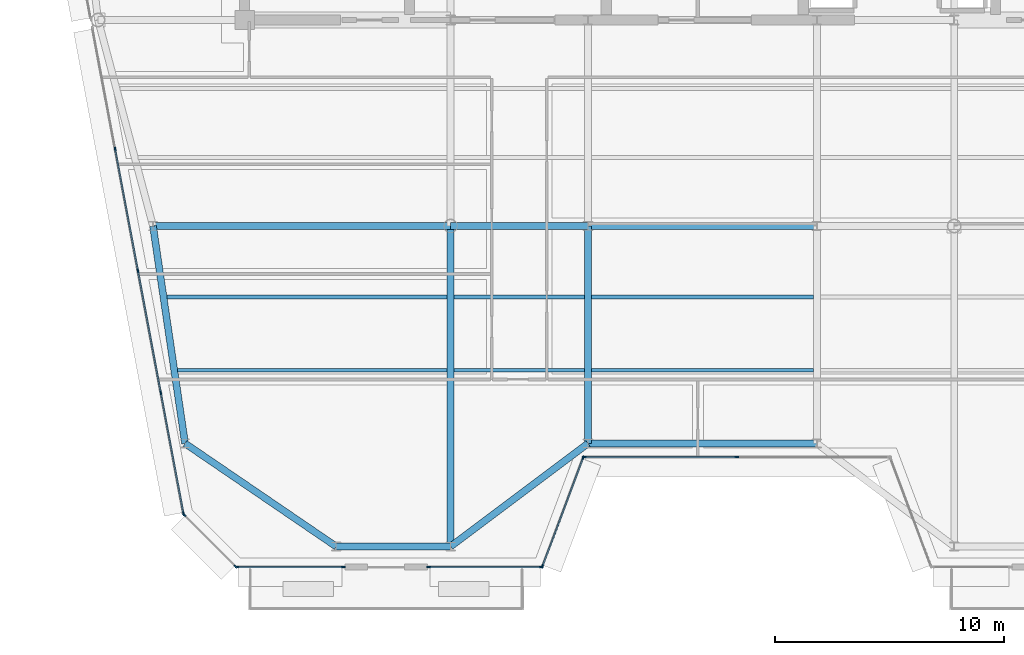
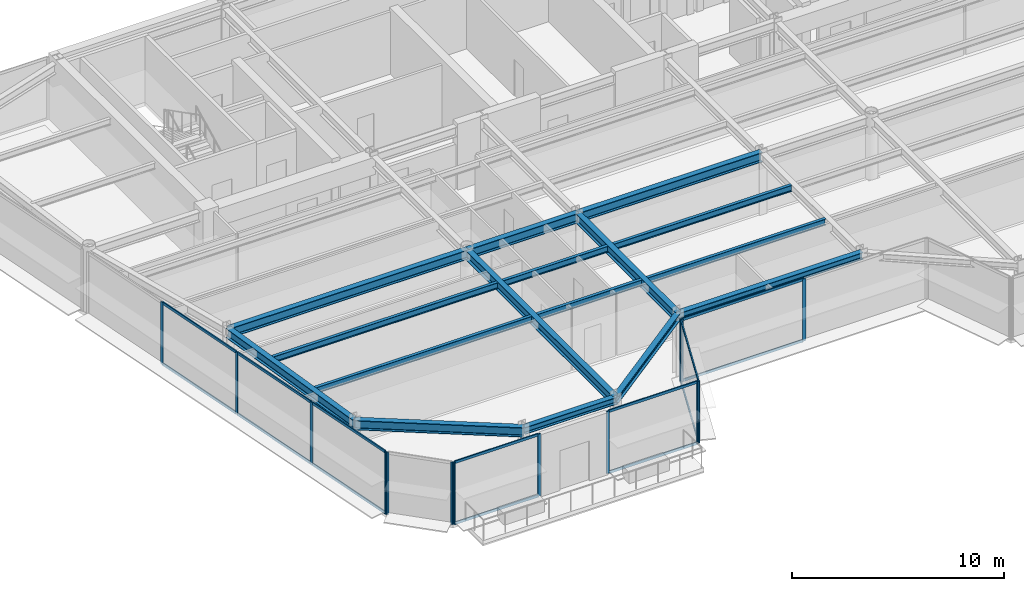
# One storey, part 3 of 20: 28 members, 16 beams, 6 elements without a shape of their own.
"""IFC4 building model written with IfcOpenShell, lengths in metres."""

from ifc_helpers import new_model, si_unit, direction, frame, origin, origin_2d, place, context, subcontext, project, spatial, rectangle, i_section, extrude, source, transform, mapped, material, layer, layer_set, material_profile, profile_set, type_object, element, aggregate, save


model = new_model("IFC4")

# Units and contexts
model_context = context("Model", 3, precision=1e-05, world=origin(), true_north=direction((0.0, 1.0)))
body_context = subcontext(model_context, "Body", "Model", "MODEL_VIEW")
ifc_project = project(units=[si_unit("LENGTHUNIT", "METRE"), si_unit("AREAUNIT", "SQUARE_METRE"), si_unit("VOLUMEUNIT", "CUBIC_METRE"), si_unit("PLANEANGLEUNIT", "RADIAN"), si_unit("MASSUNIT", "GRAM", prefix="KILO")], contexts=[model_context])

# Site, building, storey
site_placement = place(None, origin())
site = spatial("IfcSite", under=ifc_project, at=site_placement, CompositionType="ELEMENT")
building_placement = place(site_placement, origin())
building = spatial("IfcBuilding", under=site, at=building_placement, Name="Vaeldorn Concourse Tower", CompositionType="ELEMENT")
storey_placement = place(building_placement, frame((0.0, 0.0, 268.800048828125)))
storey = spatial("IfcBuildingStorey", under=building, at=storey_placement, Name="L69", CompositionType="ELEMENT", Elevation=268.800048828125)

# Beams
ifc_material_1 = material(Name="Steel S355", Category="steel")
ifc_material_profile_1 = material_profile(ifc_material_1, i_section(OverallWidth=0.300048828125, OverallDepth=0.39990234375, WebThickness=0.013427734375, FlangeThickness=0.02392578125, FilletRadius=0.027099609375, at=origin_2d()), Name="HEB 400")
ifc_profile_set_1 = profile_set([ifc_material_profile_1], Name="Steel S355")
beam_type_1 = type_object("IfcBeamType", Name="BM-SP-HEB400", PredefinedType="SPANDREL", material=ifc_profile_set_1)
shared_shape_1 = source(origin(), body_context, "Body", "SweptSolid", [
    extrude(i_section(OverallWidth=0.300048828125, OverallDepth=0.39990234375, WebThickness=0.013427734375, FlangeThickness=0.02392578125, FilletRadius=0.027099609375, at=origin_2d()), origin(), (0.0, 0.0, 1.0), 5.0),
])
beam_1_placement = place(storey_placement, frame((18.0, 13.5, 3.3798828125), z_axis=(1.0, 0.0, 0.0), x_axis=(0.0, 1.0, 0.0)))
element("IfcBeam", 1, at=beam_1_placement, inside=storey, type_object=beam_type_1, Name="Beam BM-L69-C-SF1-C-SF2", PredefinedType="SPANDREL", context=body_context, shape_type="MappedRepresentation", body=[
    mapped(shared_shape_1, transform((0.0, 0.0, 0.0), scale=1.0)),
])
shared_shape_2 = source(origin(), body_context, "Body", "SweptSolid", [
    extrude(i_section(OverallWidth=0.300048828125, OverallDepth=0.39990234375, WebThickness=0.013427734375, FlangeThickness=0.02392578125, FilletRadius=0.027099609375, at=origin_2d()), origin(), (0.0, 0.0, 1.0), 7.5),
])
beam_2_placement = place(storey_placement, frame((23.0, 13.5, 3.3798828125), z_axis=(0.8, 0.6, 0.0), x_axis=(-0.6, 0.8, 0.0)))
element("IfcBeam", 2, at=beam_2_placement, inside=storey, type_object=beam_type_1, Name="Beam BM-L69-C-SF2-C-SF3", PredefinedType="SPANDREL", context=body_context, shape_type="MappedRepresentation", body=[
    mapped(shared_shape_2, transform((0.0, 0.0, 0.0), scale=1.0)),
])
shared_shape_3 = source(origin(), body_context, "Body", "SweptSolid", [
    extrude(i_section(OverallWidth=0.300048828125, OverallDepth=0.39990234375, WebThickness=0.013427734375, FlangeThickness=0.02392578125, FilletRadius=0.027099609375, at=origin_2d()), origin(), (0.0, 0.0, 1.0), 10.0),
])
beam_3_placement = place(storey_placement, frame((29.0, 18.0, 3.3798828125), z_axis=(1.0, 0.0, 0.0), x_axis=(0.0, 1.0, 0.0)))
element("IfcBeam", 3, at=beam_3_placement, inside=storey, type_object=beam_type_1, Name="Beam BM-L69-C-SF3-C-SF4", PredefinedType="SPANDREL", context=body_context, shape_type="MappedRepresentation", body=[
    mapped(shared_shape_3, transform((0.0, 0.0, 0.0), scale=1.0)),
])
ifc_material_profile_2 = material_profile(ifc_material_1, i_section(OverallWidth=0.300048828125, OverallDepth=0.550048828125, WebThickness=0.014892578125, FlangeThickness=0.029052734375, FilletRadius=0.027099609375, at=origin_2d()), Name="HEB 550")
ifc_profile_set_2 = profile_set([ifc_material_profile_2], Name="Steel S355")
beam_type_2 = type_object("IfcBeamType", Name="BM-PG-HEB550", PredefinedType="BEAM", material=ifc_profile_set_2)
shared_shape_4 = source(origin(), body_context, "Body", "SweptSolid", [
    extrude(i_section(OverallWidth=0.300048828125, OverallDepth=0.550048828125, WebThickness=0.014892578125, FlangeThickness=0.029052734375, FilletRadius=0.027099609375, at=origin_2d()), origin(), (0.0, 0.0, 1.0), 6.0),
])
beam_4_placement = place(storey_placement, frame((23.0, 27.5, 3.304931640625), z_axis=(1.0, 0.0, 0.0), x_axis=(0.0, 1.0, 0.0)))
element("IfcBeam", 4, at=beam_4_placement, inside=storey, type_object=beam_type_2, Name="Beam BM-L69-C-TW1-C-TW2", PredefinedType="BEAM", context=body_context, shape_type="MappedRepresentation", body=[
    mapped(shared_shape_4, transform((0.0, 0.0, 0.0), scale=1.0)),
])
shared_shape_5 = source(origin(), body_context, "Body", "SweptSolid", [
    extrude(i_section(OverallWidth=0.300048828125, OverallDepth=0.550048828125, WebThickness=0.014892578125, FlangeThickness=0.029052734375, FilletRadius=0.027099609375, at=origin_2d()), origin(), (0.0, 0.0, 1.0), 10.0),
])
beam_5_placement = place(storey_placement, frame((29.0, 27.5, 3.304931640625), z_axis=(1.0, 0.0, 0.0), x_axis=(0.0, 1.0, 0.0)))
element("IfcBeam", 5, at=beam_5_placement, inside=storey, type_object=beam_type_2, Name="Beam BM-L69-C-TW2-C-TW3", PredefinedType="BEAM", context=body_context, shape_type="MappedRepresentation", body=[
    mapped(shared_shape_5, transform((0.0, 0.0, 0.0), scale=1.0)),
])
shared_shape_6 = source(origin(), body_context, "Body", "SweptSolid", [
    extrude(i_section(OverallWidth=0.300048828125, OverallDepth=0.550048828125, WebThickness=0.014892578125, FlangeThickness=0.029052734375, FilletRadius=0.027099609375, at=origin_2d()), origin(), (0.0, 0.0, 1.0), 14.0),
])
beam_6_placement = place(storey_placement, frame((23.0, 13.5, 3.304931640625), z_axis=(0.0, 1.0, 0.0), x_axis=(-1.0, 0.0, 0.0)))
element("IfcBeam", 6, at=beam_6_placement, inside=storey, type_object=beam_type_2, Name="Beam BM-L69-C-SF2-C-TW1", PredefinedType="BEAM", context=body_context, shape_type="MappedRepresentation", body=[
    mapped(shared_shape_6, transform((0.0, 0.0, 0.0), scale=1.0)),
])
shared_shape_7 = source(origin(), body_context, "Body", "SweptSolid", [
    extrude(i_section(OverallWidth=0.300048828125, OverallDepth=0.550048828125, WebThickness=0.014892578125, FlangeThickness=0.029052734375, FilletRadius=0.027099609375, at=origin_2d()), origin(), (0.0, 0.0, 1.0), 13.0),
])
beam_7_placement = place(storey_placement, frame((10.0, 27.5, 3.304931640625), z_axis=(1.0, 0.0, 0.0), x_axis=(0.0, 1.0, 0.0)))
element("IfcBeam", 7, at=beam_7_placement, inside=storey, type_object=beam_type_2, Name="Beam BM-L69-C-FLW1-C-TW1", PredefinedType="BEAM", context=body_context, shape_type="MappedRepresentation", body=[
    mapped(shared_shape_7, transform((0.0, 0.0, 0.0), scale=1.0)),
])
shared_shape_8 = source(origin(), body_context, "Body", "SweptSolid", [
    extrude(i_section(OverallWidth=0.300048828125, OverallDepth=0.550048828125, WebThickness=0.014892578125, FlangeThickness=0.029052734375, FilletRadius=0.027099609375, at=origin_2d()), origin(), (0.0, 0.0, 1.0), 9.6025390625),
])
beam_8_placement = place(storey_placement, frame((10.0, 27.5, 3.304931640625), z_axis=(0.145783835977, -0.989316467652, 0.0), x_axis=(0.989316467652, 0.145783835977, 0.0)))
element("IfcBeam", 8, at=beam_8_placement, inside=storey, type_object=beam_type_2, Name="Beam BM-L69-C-FLW1-C-FLW2", PredefinedType="BEAM", context=body_context, shape_type="MappedRepresentation", body=[
    mapped(shared_shape_8, transform((0.0, 0.0, 0.0), scale=1.0)),
])
shared_shape_9 = source(origin(), body_context, "Body", "SweptSolid", [
    extrude(i_section(OverallWidth=0.300048828125, OverallDepth=0.550048828125, WebThickness=0.014892578125, FlangeThickness=0.029052734375, FilletRadius=0.027099609375, at=origin_2d()), origin(), (0.0, 0.0, 1.0), 9.5),
])
beam_9_placement = place(storey_placement, frame((29.0, 18.0, 3.304931640625), z_axis=(0.0, 1.0, 0.0), x_axis=(-1.0, 0.0, 0.0)))
element("IfcBeam", 9, at=beam_9_placement, inside=storey, type_object=beam_type_2, Name="Beam BM-L69-C-SF3-C-TW2", PredefinedType="BEAM", context=body_context, shape_type="MappedRepresentation", body=[
    mapped(shared_shape_9, transform((0.0, 0.0, 0.0), scale=1.0)),
])
shared_shape_10 = source(origin(), body_context, "Body", "SweptSolid", [
    extrude(i_section(OverallWidth=0.300048828125, OverallDepth=0.550048828125, WebThickness=0.014892578125, FlangeThickness=0.029052734375, FilletRadius=0.027099609375, at=origin_2d()), origin(), (0.0, 0.0, 1.0), 7.98828125),
])
beam_10_placement = place(storey_placement, frame((18.0, 13.5, 3.304931640625), z_axis=(-0.826231222393, 0.56333113454, 0.0), x_axis=(-0.56333113454, -0.826231222393, 0.0)))
element("IfcBeam", 10, at=beam_10_placement, inside=storey, type_object=beam_type_2, Name="Beam BM-L69-C-SF1-C-FLW2", PredefinedType="BEAM", context=body_context, shape_type="MappedRepresentation", body=[
    mapped(shared_shape_10, transform((0.0, 0.0, 0.0), scale=1.0)),
])
ifc_material_profile_3 = material_profile(ifc_material_1, i_section(OverallWidth=0.169921875, OverallDepth=0.360107421875, WebThickness=0.008056640625, FlangeThickness=0.0126953125, FilletRadius=0.01806640625, at=origin_2d()), Name="IPE 360")
ifc_profile_set_3 = profile_set([ifc_material_profile_3], Name="Steel S355")
beam_type_3 = type_object("IfcBeamType", Name="BM-JS-IPE360", PredefinedType="JOIST", material=ifc_profile_set_3)
shared_shape_11 = source(origin(), body_context, "Body", "SweptSolid", [
    extrude(i_section(OverallWidth=0.169921875, OverallDepth=0.360107421875, WebThickness=0.008056640625, FlangeThickness=0.0126953125, FilletRadius=0.01806640625, at=origin_2d()), origin(), (0.0, 0.0, 1.0), 11.771728515625),
])
beam_11_placement = place(storey_placement, frame((11.078369140625, 21.199951171875, 3.39990234375), z_axis=(1.0, 0.0, 0.0), x_axis=(0.0, 1.0, 0.0)))
element("IfcBeam", 11, at=beam_11_placement, inside=storey, type_object=beam_type_3, Name="Beam JS-L69-W1-212", PredefinedType="JOIST", context=body_context, shape_type="MappedRepresentation", body=[
    mapped(shared_shape_11, transform((0.0, 0.0, 0.0), scale=1.0)),
])
shared_shape_12 = source(origin(), body_context, "Body", "SweptSolid", [
    extrude(i_section(OverallWidth=0.169921875, OverallDepth=0.360107421875, WebThickness=0.008056640625, FlangeThickness=0.0126953125, FilletRadius=0.01806640625, at=origin_2d()), origin(), (0.0, 0.0, 1.0), 5.7001953125),
])
for number, where, z_axis, x_axis, name in (
    (12, (23.14990234375, 21.199951171875, 3.39990234375), (1.0, 0.0, 0.0), (0.0, 1.0, 0.0), "Beam JS-L69-W2-212"),
    (13, (23.14990234375, 24.39990234375, 3.39990234375), (1.0, 0.0, 0.0), (0.0, 1.0, 0.0), "Beam JS-L69-W2-244"),
):
    element("IfcBeam", number, at=place(storey_placement, frame(where, z_axis=z_axis, x_axis=x_axis)), inside=storey, type_object=beam_type_3, Name=name, PredefinedType="JOIST", context=body_context, shape_type="MappedRepresentation", body=[
        mapped(shared_shape_12, transform((0.0, 0.0, 0.0), scale=1.0)),
    ])
shared_shape_13 = source(origin(), body_context, "Body", "SweptSolid", [
    extrude(i_section(OverallWidth=0.169921875, OverallDepth=0.360107421875, WebThickness=0.008056640625, FlangeThickness=0.0126953125, FilletRadius=0.01806640625, at=origin_2d()), origin(), (0.0, 0.0, 1.0), 9.7001953125),
])
for number, where, z_axis, x_axis, name in (
    (14, (29.14990234375, 21.199951171875, 3.39990234375), (1.0, 0.0, 0.0), (0.0, 1.0, 0.0), "Beam JS-L69-C-212"),
    (15, (29.14990234375, 24.39990234375, 3.39990234375), (1.0, 0.0, 0.0), (0.0, 1.0, 0.0), "Beam JS-L69-C-244"),
):
    element("IfcBeam", number, at=place(storey_placement, frame(where, z_axis=z_axis, x_axis=x_axis)), inside=storey, type_object=beam_type_3, Name=name, PredefinedType="JOIST", context=body_context, shape_type="MappedRepresentation", body=[
        mapped(shared_shape_13, transform((0.0, 0.0, 0.0), scale=1.0)),
    ])
shared_shape_14 = source(origin(), body_context, "Body", "SweptSolid", [
    extrude(i_section(OverallWidth=0.169921875, OverallDepth=0.360107421875, WebThickness=0.008056640625, FlangeThickness=0.0126953125, FilletRadius=0.01806640625, at=origin_2d()), origin(), (0.0, 0.0, 1.0), 12.243408203125),
])
beam_12_placement = place(storey_placement, frame((10.606689453125, 24.39990234375, 3.39990234375), z_axis=(1.0, 0.0, 0.0), x_axis=(0.0, 1.0, 0.0)))
element("IfcBeam", 16, at=beam_12_placement, inside=storey, type_object=beam_type_3, Name="Beam JS-L69-W1-244", PredefinedType="JOIST", context=body_context, shape_type="MappedRepresentation", body=[
    mapped(shared_shape_14, transform((0.0, 0.0, 0.0), scale=1.0)),
])

# Curtain wall, members
ifc_material_2 = material(Name="Anodised Bronze Aluminium", Category="aluminium")
ifc_layer = layer(ifc_material_2, 0.2099609375)
ifc_layer_set = layer_set([ifc_layer], Name="Anodised Bronze Aluminium")
curtain_wall_type = type_object("IfcCurtainWallType", Name="CW-SYS-06", PredefinedType="NOTDEFINED", material=ifc_layer_set)
curtain_wall_1_placement = place(storey_placement, origin())
curtain_wall_1 = element("IfcCurtainWall", 17, at=curtain_wall_1_placement, inside=storey, type_object=curtain_wall_type, Name="Unitised Curtain Wall CW-L69-E01-1", PredefinedType="NOTDEFINED")
ifc_material_profile_4 = material_profile(ifc_material_2, rectangle(XDim=0.06494140625, YDim=0.169921875, at=origin_2d()), Name="CWM 65x170")
ifc_profile_set_4 = profile_set([ifc_material_profile_4], Name="Anodised Bronze Aluminium")
member_type_1 = type_object("IfcMemberType", Name="CWM-BRONZE-170", PredefinedType="MULLION", material=ifc_profile_set_4)
shared_shape_15 = source(origin(), body_context, "Body", "SweptSolid", [
    extrude(rectangle(XDim=0.06494140625, YDim=0.169921875, at=origin_2d()), origin(), (0.0, 0.0, 1.0), 3.579833984375),
])
member_1_placement = place(storey_placement, frame((13.66845703125, 12.60009765625, 0.0), z_axis=(0.0, 0.0, 1.0), x_axis=(0.0, 1.0, 0.0)))
member_1 = element("IfcMember", 18, at=member_1_placement, type_object=member_type_1, Name="CW-06 mullion 1", PredefinedType="MULLION", context=body_context, shape_type="MappedRepresentation", body=[
    mapped(shared_shape_15, transform((0.0, 0.0, 0.0), scale=1.0)),
])
member_2_placement = place(storey_placement, frame((18.3076171875, 12.60009765625, 0.0), z_axis=(0.0, 0.0, 1.0), x_axis=(0.0, 1.0, 0.0)))
member_2 = element("IfcMember", 19, at=member_2_placement, type_object=member_type_1, Name="CW-06 mullion 2", PredefinedType="MULLION", context=body_context, shape_type="MappedRepresentation", body=[
    mapped(shared_shape_15, transform((0.0, 0.0, 0.0), scale=1.0)),
])

curtain_wall_2_placement = place(storey_placement, origin())
curtain_wall_2 = element("IfcCurtainWall", 20, at=curtain_wall_2_placement, inside=storey, type_object=curtain_wall_type, Name="Unitised Curtain Wall CW-L69-E01-2", PredefinedType="NOTDEFINED")
member_3_placement = place(storey_placement, frame((22.052490234375, 12.60009765625, 0.0), z_axis=(0.0, 0.0, 1.0), x_axis=(0.0, 1.0, 0.0)))
member_3 = element("IfcMember", 21, at=member_3_placement, type_object=member_type_1, Name="CW-06 mullion 1", PredefinedType="MULLION", context=body_context, shape_type="MappedRepresentation", body=[
    mapped(shared_shape_15, transform((0.0, 0.0, 0.0), scale=1.0)),
])
member_4_placement = place(storey_placement, frame((26.967529296875, 12.60009765625, 0.0), z_axis=(0.0, 0.0, 1.0), x_axis=(0.0, 1.0, 0.0)))
member_4 = element("IfcMember", 22, at=member_4_placement, type_object=member_type_1, Name="CW-06 mullion 2", PredefinedType="MULLION", context=body_context, shape_type="MappedRepresentation", body=[
    mapped(shared_shape_15, transform((0.0, 0.0, 0.0), scale=1.0)),
])

curtain_wall_3_placement = place(storey_placement, origin())
curtain_wall_3 = element("IfcCurtainWall", 23, at=curtain_wall_3_placement, inside=storey, type_object=curtain_wall_type, Name="Unitised Curtain Wall CW-L69-E02-1", PredefinedType="NOTDEFINED")
member_5_placement = place(storey_placement, frame((27.011474609375, 12.63037109375, 0.0), z_axis=(0.0, 0.0, 1.0), x_axis=(-0.936329177566, 0.351123441595, 0.0)))
member_5 = element("IfcMember", 24, at=member_5_placement, type_object=member_type_1, Name="CW-06 mullion 1", PredefinedType="MULLION", context=body_context, shape_type="MappedRepresentation", body=[
    mapped(shared_shape_15, transform((0.0, 0.0, 0.0), scale=1.0)),
])
member_6_placement = place(storey_placement, frame((28.78857421875, 17.36962890625, 0.0), z_axis=(0.0, 0.0, 1.0), x_axis=(-0.936329177566, 0.351123441595, 0.0)))
member_6 = element("IfcMember", 25, at=member_6_placement, type_object=member_type_1, Name="CW-06 mullion 2", PredefinedType="MULLION", context=body_context, shape_type="MappedRepresentation", body=[
    mapped(shared_shape_15, transform((0.0, 0.0, 0.0), scale=1.0)),
])

curtain_wall_4_placement = place(storey_placement, origin())
curtain_wall_4 = element("IfcCurtainWall", 26, at=curtain_wall_4_placement, inside=storey, type_object=curtain_wall_type, Name="Unitised Curtain Wall CW-L69-E03-1", PredefinedType="NOTDEFINED")
member_7_placement = place(storey_placement, frame((28.83251953125, 17.39990234375, 0.0), z_axis=(0.0, 0.0, 1.0), x_axis=(0.0, 1.0, 0.0)))
member_7 = element("IfcMember", 27, at=member_7_placement, type_object=member_type_1, Name="CW-06 mullion 1", PredefinedType="MULLION", context=body_context, shape_type="MappedRepresentation", body=[
    mapped(shared_shape_15, transform((0.0, 0.0, 0.0), scale=1.0)),
])
member_8_placement = place(storey_placement, frame((35.5, 17.39990234375, 0.0), z_axis=(0.0, 0.0, 1.0), x_axis=(0.0, 1.0, 0.0)))
member_8 = element("IfcMember", 28, at=member_8_placement, type_object=member_type_1, Name="CW-06 mullion 2", PredefinedType="MULLION", context=body_context, shape_type="MappedRepresentation", body=[
    mapped(shared_shape_15, transform((0.0, 0.0, 0.0), scale=1.0)),
])

curtain_wall_5_placement = place(storey_placement, origin())
curtain_wall_5 = element("IfcCurtainWall", 29, at=curtain_wall_5_placement, inside=storey, type_object=curtain_wall_type, Name="Unitised Curtain Wall CW-L69-E11-2", PredefinedType="NOTDEFINED")
member_9_placement = place(storey_placement, frame((8.343505859375, 30.86376953125, 0.0), z_axis=(0.0, 0.0, 1.0), x_axis=(0.982880027444, 0.184246714088, 0.0)))
member_9 = element("IfcMember", 30, at=member_9_placement, type_object=member_type_1, Name="CW-06 mullion 2", PredefinedType="MULLION", context=body_context, shape_type="MappedRepresentation", body=[
    mapped(shared_shape_15, transform((0.0, 0.0, 0.0), scale=1.0)),
])
member_10_placement = place(storey_placement, frame((9.341064453125, 25.54248046875, 0.0), z_axis=(0.0, 0.0, 1.0), x_axis=(0.982880027444, 0.184246714088, 0.0)))
member_10 = element("IfcMember", 31, at=member_10_placement, type_object=member_type_1, Name="CW-06 mullion 3", PredefinedType="MULLION", context=body_context, shape_type="MappedRepresentation", body=[
    mapped(shared_shape_15, transform((0.0, 0.0, 0.0), scale=1.0)),
])
member_11_placement = place(storey_placement, frame((10.33837890625, 20.22119140625, 0.0), z_axis=(0.0, 0.0, 1.0), x_axis=(0.982880027444, 0.184246714088, 0.0)))
member_11 = element("IfcMember", 32, at=member_11_placement, type_object=member_type_1, Name="CW-06 mullion 4", PredefinedType="MULLION", context=body_context, shape_type="MappedRepresentation", body=[
    mapped(shared_shape_15, transform((0.0, 0.0, 0.0), scale=1.0)),
])
member_12_placement = place(storey_placement, frame((11.330078125, 14.931884765625, 0.0), z_axis=(0.0, 0.0, 1.0), x_axis=(0.982880027444, 0.184246714088, 0.0)))
member_12 = element("IfcMember", 33, at=member_12_placement, type_object=member_type_1, Name="CW-06 mullion 5", PredefinedType="MULLION", context=body_context, shape_type="MappedRepresentation", body=[
    mapped(shared_shape_15, transform((0.0, 0.0, 0.0), scale=1.0)),
])

curtain_wall_6_placement = place(storey_placement, origin())
curtain_wall_6 = element("IfcCurtainWall", 34, at=curtain_wall_6_placement, inside=storey, type_object=curtain_wall_type, Name="Unitised Curtain Wall CW-L69-E12-1", PredefinedType="NOTDEFINED")
member_13_placement = place(storey_placement, frame((11.35888671875, 14.876953125, 0.0), z_axis=(0.0, 0.0, 1.0), x_axis=(0.707106781187, 0.707106781187, 0.0)))
member_13 = element("IfcMember", 35, at=member_13_placement, type_object=member_type_1, Name="CW-06 mullion 1", PredefinedType="MULLION", context=body_context, shape_type="MappedRepresentation", body=[
    mapped(shared_shape_15, transform((0.0, 0.0, 0.0), scale=1.0)),
])
member_14_placement = place(storey_placement, frame((13.613037109375, 12.623046875, 0.0), z_axis=(0.0, 0.0, 1.0), x_axis=(0.707106781187, 0.707106781187, 0.0)))
member_14 = element("IfcMember", 36, at=member_14_placement, type_object=member_type_1, Name="CW-06 mullion 2", PredefinedType="MULLION", context=body_context, shape_type="MappedRepresentation", body=[
    mapped(shared_shape_15, transform((0.0, 0.0, 0.0), scale=1.0)),
])
aggregate(curtain_wall_6, [member_13, member_14])

# Member
ifc_material_profile_5 = material_profile(ifc_material_2, rectangle(XDim=0.06494140625, YDim=0.14990234375, at=origin_2d()), Name="CWT 65x150")
ifc_profile_set_5 = profile_set([ifc_material_profile_5], Name="Anodised Bronze Aluminium")
member_type_2 = type_object("IfcMemberType", Name="CWT-BRONZE-150", PredefinedType="USERDEFINED", material=ifc_profile_set_5)
shared_shape_16 = source(origin(), body_context, "Body", "SweptSolid", [
    extrude(rectangle(XDim=0.06494140625, YDim=0.14990234375, at=origin_2d()), origin(), (0.0, 0.0, 1.0), 4.996337890625),
])
member_15_placement = place(storey_placement, frame((27.022705078125, 12.660888671875, 0.032470703125), z_axis=(0.351134151405, 0.936325161318, 0.0), x_axis=(-0.936325161318, 0.351134151405, 0.0)))
member_15 = element("IfcMember", 37, at=member_15_placement, type_object=member_type_2, Name="CW-06 transom 1.1", ObjectType="TRANSOM", PredefinedType="USERDEFINED", context=body_context, shape_type="MappedRepresentation", body=[
    mapped(shared_shape_16, transform((0.0, 0.0, 0.0), scale=1.0)),
])

member_16_placement = place(storey_placement, frame((27.022705078125, 12.660888671875, 3.54736328125), z_axis=(0.351134151405, 0.936325161318, 0.0), x_axis=(-0.936325161318, 0.351134151405, 0.0)))
member_16 = element("IfcMember", 38, at=member_16_placement, type_object=member_type_2, Name="CW-06 transom 1.2", ObjectType="TRANSOM", PredefinedType="USERDEFINED", context=body_context, shape_type="MappedRepresentation", body=[
    mapped(shared_shape_16, transform((0.0, 0.0, 0.0), scale=1.0)),
])

aggregate(curtain_wall_3, [member_5, member_6, member_15, member_16])

shared_shape_17 = source(origin(), body_context, "Body", "SweptSolid", [
    extrude(rectangle(XDim=0.06494140625, YDim=0.14990234375, at=origin_2d()), origin(), (0.0, 0.0, 1.0), 6.6025390625),
])
member_17_placement = place(storey_placement, frame((28.864990234375, 17.39990234375, 0.032470703125), z_axis=(1.0, 0.0, 0.0), x_axis=(0.0, 1.0, 0.0)))
member_17 = element("IfcMember", 39, at=member_17_placement, type_object=member_type_2, Name="CW-06 transom 1.1", ObjectType="TRANSOM", PredefinedType="USERDEFINED", context=body_context, shape_type="MappedRepresentation", body=[
    mapped(shared_shape_17, transform((0.0, 0.0, 0.0), scale=1.0)),
])

member_18_placement = place(storey_placement, frame((28.864990234375, 17.39990234375, 3.54736328125), z_axis=(1.0, 0.0, 0.0), x_axis=(0.0, 1.0, 0.0)))
member_18 = element("IfcMember", 40, at=member_18_placement, type_object=member_type_2, Name="CW-06 transom 1.2", ObjectType="TRANSOM", PredefinedType="USERDEFINED", context=body_context, shape_type="MappedRepresentation", body=[
    mapped(shared_shape_17, transform((0.0, 0.0, 0.0), scale=1.0)),
])

aggregate(curtain_wall_4, [member_7, member_8, member_17, member_18])

shared_shape_18 = source(origin(), body_context, "Body", "SweptSolid", [
    extrude(rectangle(XDim=0.06494140625, YDim=0.14990234375, at=origin_2d()), origin(), (0.0, 0.0, 1.0), 4.573974609375),
])
member_19_placement = place(storey_placement, frame((13.700927734375, 12.60009765625, 0.032470703125), z_axis=(1.0, 0.0, 0.0), x_axis=(0.0, 1.0, 0.0)))
member_19 = element("IfcMember", 41, at=member_19_placement, type_object=member_type_2, Name="CW-06 transom 1.1", ObjectType="TRANSOM", PredefinedType="USERDEFINED", context=body_context, shape_type="MappedRepresentation", body=[
    mapped(shared_shape_18, transform((0.0, 0.0, 0.0), scale=1.0)),
])

member_20_placement = place(storey_placement, frame((13.700927734375, 12.60009765625, 3.54736328125), z_axis=(1.0, 0.0, 0.0), x_axis=(0.0, 1.0, 0.0)))
member_20 = element("IfcMember", 42, at=member_20_placement, type_object=member_type_2, Name="CW-06 transom 1.2", ObjectType="TRANSOM", PredefinedType="USERDEFINED", context=body_context, shape_type="MappedRepresentation", body=[
    mapped(shared_shape_18, transform((0.0, 0.0, 0.0), scale=1.0)),
])

aggregate(curtain_wall_1, [member_1, member_2, member_19, member_20])

shared_shape_19 = source(origin(), body_context, "Body", "SweptSolid", [
    extrude(rectangle(XDim=0.06494140625, YDim=0.14990234375, at=origin_2d()), origin(), (0.0, 0.0, 1.0), 4.85009765625),
])
member_21_placement = place(storey_placement, frame((22.0849609375, 12.60009765625, 0.032470703125), z_axis=(1.0, 0.0, 0.0), x_axis=(0.0, 1.0, 0.0)))
member_21 = element("IfcMember", 43, at=member_21_placement, type_object=member_type_2, Name="CW-06 transom 1.1", ObjectType="TRANSOM", PredefinedType="USERDEFINED", context=body_context, shape_type="MappedRepresentation", body=[
    mapped(shared_shape_19, transform((0.0, 0.0, 0.0), scale=1.0)),
])

member_22_placement = place(storey_placement, frame((22.0849609375, 12.60009765625, 3.54736328125), z_axis=(1.0, 0.0, 0.0), x_axis=(0.0, 1.0, 0.0)))
member_22 = element("IfcMember", 44, at=member_22_placement, type_object=member_type_2, Name="CW-06 transom 1.2", ObjectType="TRANSOM", PredefinedType="USERDEFINED", context=body_context, shape_type="MappedRepresentation", body=[
    mapped(shared_shape_19, transform((0.0, 0.0, 0.0), scale=1.0)),
])

aggregate(curtain_wall_2, [member_3, member_4, member_21, member_22])

shared_shape_20 = source(origin(), body_context, "Body", "SweptSolid", [
    extrude(rectangle(XDim=0.06494140625, YDim=0.14990234375, at=origin_2d()), origin(), (0.0, 0.0, 1.0), 5.31640625),
])
member_23_placement = place(storey_placement, frame((10.344482421875, 20.189208984375, 0.032470703125), z_axis=(0.184241399207, -0.982881023735, 0.0), x_axis=(0.982881023735, 0.184241399207, 0.0)))
member_23 = element("IfcMember", 45, at=member_23_placement, type_object=member_type_2, Name="CW-06 transom 4.1", ObjectType="TRANSOM", PredefinedType="USERDEFINED", context=body_context, shape_type="MappedRepresentation", body=[
    mapped(shared_shape_20, transform((0.0, 0.0, 0.0), scale=1.0)),
])

member_24_placement = place(storey_placement, frame((10.344482421875, 20.189208984375, 3.54736328125), z_axis=(0.184241399207, -0.982881023735, 0.0), x_axis=(0.982881023735, 0.184241399207, 0.0)))
member_24 = element("IfcMember", 46, at=member_24_placement, type_object=member_type_2, Name="CW-06 transom 4.2", ObjectType="TRANSOM", PredefinedType="USERDEFINED", context=body_context, shape_type="MappedRepresentation", body=[
    mapped(shared_shape_20, transform((0.0, 0.0, 0.0), scale=1.0)),
])

shared_shape_21 = source(origin(), body_context, "Body", "SweptSolid", [
    extrude(rectangle(XDim=0.06494140625, YDim=0.14990234375, at=origin_2d()), origin(), (0.0, 0.0, 1.0), 5.348876953125),
])
member_25_placement = place(storey_placement, frame((8.349609375, 30.831787109375, 0.032470703125), z_axis=(0.184216882988, -0.982885618993, 0.0), x_axis=(0.982885618993, 0.184216882988, 0.0)))
member_25 = element("IfcMember", 47, at=member_25_placement, type_object=member_type_2, Name="CW-06 transom 2.1", ObjectType="TRANSOM", PredefinedType="USERDEFINED", context=body_context, shape_type="MappedRepresentation", body=[
    mapped(shared_shape_21, transform((0.0, 0.0, 0.0), scale=1.0)),
])

member_26_placement = place(storey_placement, frame((8.349609375, 30.831787109375, 3.54736328125), z_axis=(0.184216882988, -0.982885618993, 0.0), x_axis=(0.982885618993, 0.184216882988, 0.0)))
member_26 = element("IfcMember", 48, at=member_26_placement, type_object=member_type_2, Name="CW-06 transom 2.2", ObjectType="TRANSOM", PredefinedType="USERDEFINED", context=body_context, shape_type="MappedRepresentation", body=[
    mapped(shared_shape_21, transform((0.0, 0.0, 0.0), scale=1.0)),
])

member_27_placement = place(storey_placement, frame((9.346923828125, 25.510498046875, 0.032470703125), z_axis=(0.184260976912, -0.982877353685, 0.0), x_axis=(0.982877353685, 0.184260976912, 0.0)))
member_27 = element("IfcMember", 49, at=member_27_placement, type_object=member_type_2, Name="CW-06 transom 3.1", ObjectType="TRANSOM", PredefinedType="USERDEFINED", context=body_context, shape_type="MappedRepresentation", body=[
    mapped(shared_shape_21, transform((0.0, 0.0, 0.0), scale=1.0)),
])

member_28_placement = place(storey_placement, frame((9.346923828125, 25.510498046875, 3.54736328125), z_axis=(0.184260976912, -0.982877353685, 0.0), x_axis=(0.982877353685, 0.184260976912, 0.0)))
member_28 = element("IfcMember", 50, at=member_28_placement, type_object=member_type_2, Name="CW-06 transom 3.2", ObjectType="TRANSOM", PredefinedType="USERDEFINED", context=body_context, shape_type="MappedRepresentation", body=[
    mapped(shared_shape_21, transform((0.0, 0.0, 0.0), scale=1.0)),
])

aggregate(curtain_wall_5, [member_9, member_10, member_11, member_12, member_25, member_26, member_27, member_28, member_23, member_24])

save(model, "model.ifc")
